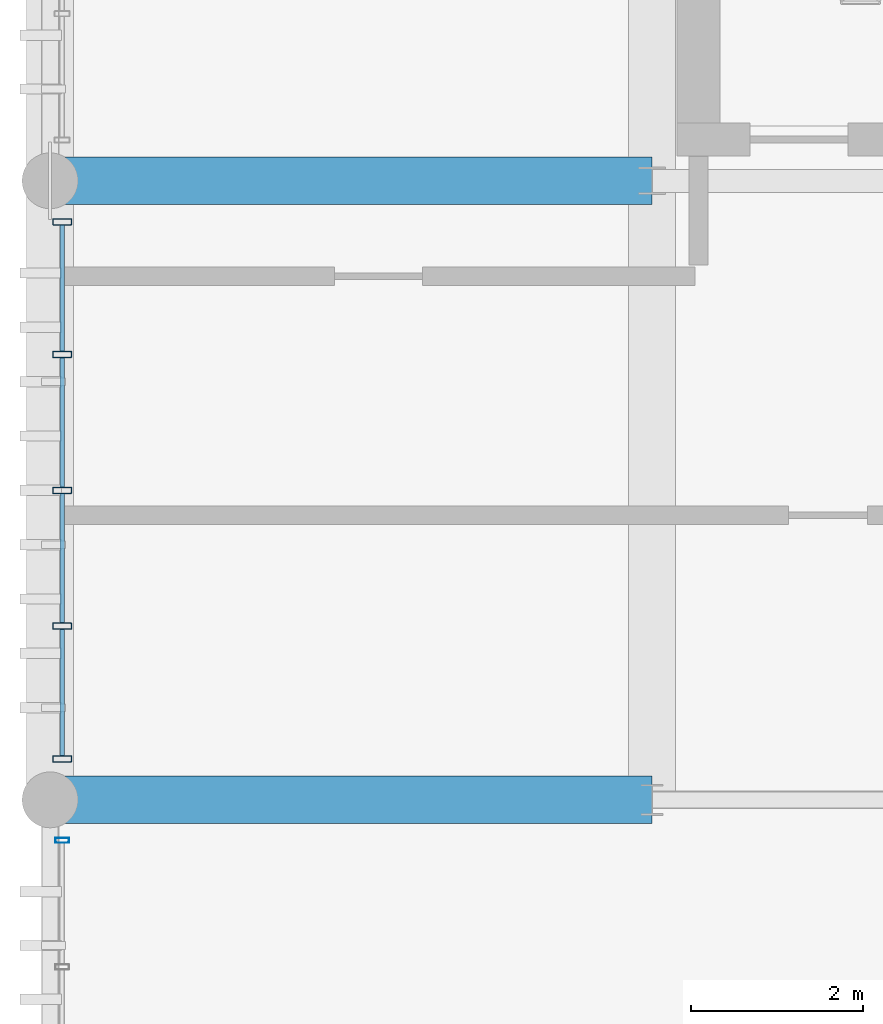
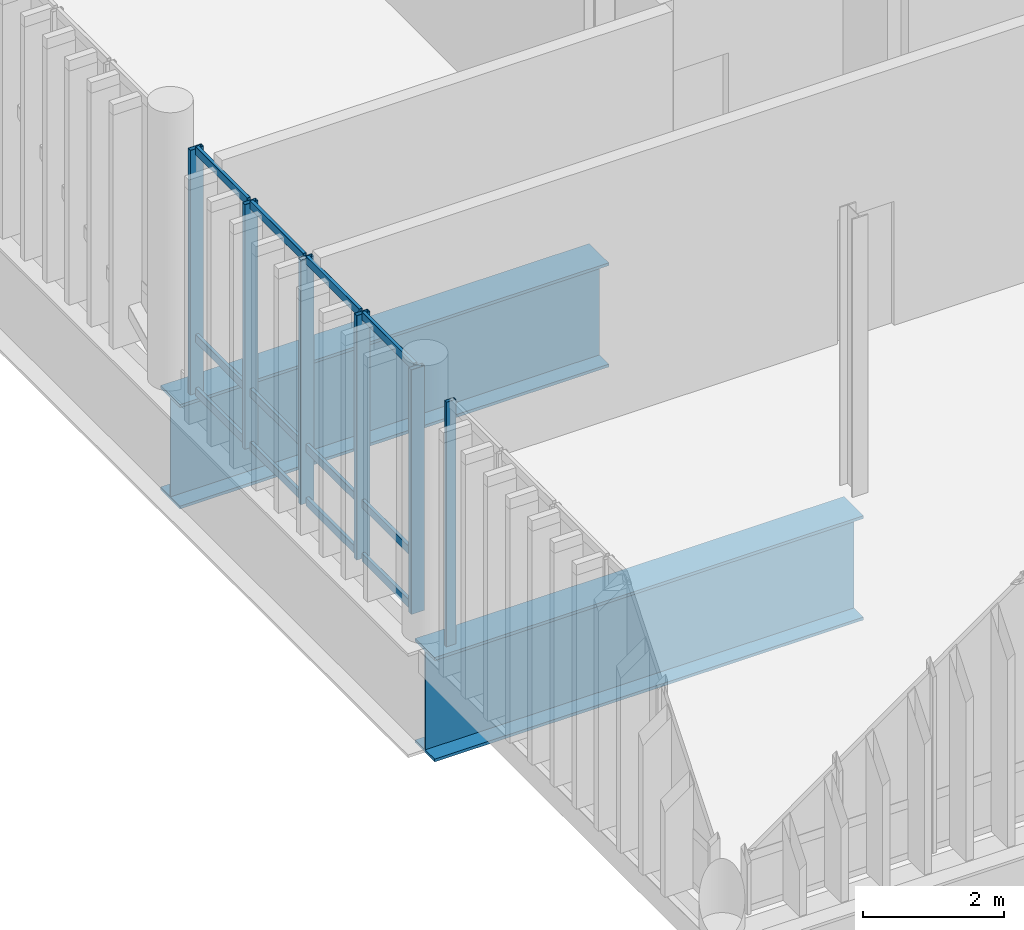
# One storey, part 8 of 81: 18 members, 2 beams, 2 elements without a shape of their own.
"""IFC4 building model written with IfcOpenShell, lengths in metres."""

from ifc_helpers import new_model, si_unit, direction, frame, origin_with_axes, origin_2d_with_axis, place, context, subcontext, project, spatial, hollow_rectangle, i_section, extrude, material, material_profile, profile_set, type_object, element, aggregate, save


model = new_model("IFC4")

# Units and contexts
model_context = context("Model", 3, precision=1e-05, world=origin_with_axes(), true_north=direction((0.0, 1.0)))
body_context = subcontext(model_context, "Body", "Model", "MODEL_VIEW")
ifc_project = project(units=[si_unit("LENGTHUNIT", "METRE"), si_unit("AREAUNIT", "SQUARE_METRE"), si_unit("VOLUMEUNIT", "CUBIC_METRE"), si_unit("PLANEANGLEUNIT", "RADIAN"), si_unit("MASSUNIT", "GRAM", prefix="KILO"), si_unit("THERMODYNAMICTEMPERATUREUNIT", "KELVIN")], contexts=[model_context])

# Site, building, storey
site_placement = place(None, origin_with_axes())
site = spatial("IfcSite", under=ifc_project, at=site_placement, CompositionType="ELEMENT")
building_placement = place(site_placement, origin_with_axes())
building = spatial("IfcBuilding", under=site, at=building_placement, Name="Montbau Bow Law Courts", CompositionType="ELEMENT")
storey_placement = place(building_placement, frame((0.0, 0.0, 24.9), z_axis=(0.0, 0.0, 1.0), x_axis=(1.0, 0.0, 0.0)))
storey = spatial("IfcBuildingStorey", under=building, at=storey_placement, Name="L05", CompositionType="ELEMENT", Elevation=24.9)

# Beams
ifc_material_1 = material(Name="Steel CSA G40.21 Grade 350WT (350 MPa)", Category="steel")
ifc_material_profile_1 = material_profile(ifc_material_1, i_section(OverallWidth=0.55, OverallDepth=1.8, WebThickness=0.022, FlangeThickness=0.05, at=origin_2d_with_axis()), Name="WWF1800X550", Category="Main", Priority=0)
ifc_profile_set_1 = profile_set([ifc_material_profile_1], Name="Steel CSA G40.21 Grade 350WT (350 MPa)")
beam_type = type_object("IfcBeamType", Name="B-TRG-01", PredefinedType="USERDEFINED", material=ifc_profile_set_1)
for number, where, z_axis, x_axis, name in (
    (1, (6.8, 39.0, 23.7), (1.0, 0.0, 0.0), (0.0, 1.0, 0.0), "TRG-L05-S0053:bm2_0056"),
    (2, (6.8, 46.2, 23.7), (1.0, 0.0, 0.0), (0.0, 1.0, 0.0), "TRG-L05-S0055:bm2_0058"),
):
    element("IfcBeam", number, at=place(None, frame(where, z_axis=z_axis, x_axis=x_axis)), inside=storey, type_object=beam_type, Name=name, ObjectType="GIRDER", PredefinedType="USERDEFINED", context=body_context, shape_type="SweptSolid", body=[
        extrude(i_section(OverallWidth=0.55, OverallDepth=1.8, WebThickness=0.022, FlangeThickness=0.05, at=origin_2d_with_axis()), origin_with_axes(), (0.0, 0.0, 1.0), 7.0),
    ])

# Curtain wall, members
ifc_material_2 = material(Name="Thermally Broken Extruded Aluminium AA 6063-T6", Category="aluminium")
curtain_wall_type = type_object("IfcCurtainWallType", Name="CW-TRC-02", PredefinedType="NOTDEFINED", material=ifc_material_2)
curtain_wall_1_placement = place(None, frame((6.94, 39.44, 24.9), z_axis=(0.0, 0.0, 1.0), x_axis=(1.0, 0.0, 0.0)))
curtain_wall_1 = element("IfcCurtainWall", 3, at=curtain_wall_1_placement, inside=storey, type_object=curtain_wall_type, Name="CW-L05-087:cw_0087", PredefinedType="NOTDEFINED")
ifc_material_profile_2 = material_profile(ifc_material_2, hollow_rectangle(XDim=0.075, YDim=0.22, WallThickness=0.005, InnerFilletRadius=0.01, OuterFilletRadius=0.005, at=origin_2d_with_axis()), Name="CWM-220X75", Category="Main", Priority=0)
ifc_profile_set_2 = profile_set([ifc_material_profile_2], Name="Thermally Broken Extruded Aluminium AA 6063-T6")
member_type_1 = type_object("IfcMemberType", Name="M-MUL-01", PredefinedType="MULLION", material=ifc_profile_set_2)
member_1_placement = place(None, frame((6.94, 39.477, 24.9), z_axis=(0.0, 0.0, 1.0), x_axis=(0.0, 1.0, 0.0)))
member_1 = element("IfcMember", 4, at=member_1_placement, type_object=member_type_1, Name="CW-L05-087-M01:cw_0087_M01", PredefinedType="MULLION", context=body_context, shape_type="SweptSolid", body=[
    extrude(hollow_rectangle(XDim=0.075, YDim=0.22, WallThickness=0.005, InnerFilletRadius=0.01, OuterFilletRadius=0.005, at=origin_2d_with_axis()), origin_with_axes(), (0.0, 0.0, 1.0), 4.22),
])
member_2_placement = place(None, frame((6.94, 41.02, 24.9), z_axis=(0.0, 0.0, 1.0), x_axis=(0.0, 1.0, 0.0)))
member_2 = element("IfcMember", 5, at=member_2_placement, type_object=member_type_1, Name="CW-L05-087-M02:cw_0087_M02", PredefinedType="MULLION", context=body_context, shape_type="SweptSolid", body=[
    extrude(hollow_rectangle(XDim=0.075, YDim=0.22, WallThickness=0.005, InnerFilletRadius=0.01, OuterFilletRadius=0.005, at=origin_2d_with_axis()), origin_with_axes(), (0.0, 0.0, 1.0), 4.22),
])
member_3_placement = place(None, frame((6.94, 42.6, 24.9), z_axis=(0.0, 0.0, 1.0), x_axis=(0.0, 1.0, 0.0)))
member_3 = element("IfcMember", 6, at=member_3_placement, type_object=member_type_1, Name="CW-L05-087-M03:cw_0087_M03", PredefinedType="MULLION", context=body_context, shape_type="SweptSolid", body=[
    extrude(hollow_rectangle(XDim=0.075, YDim=0.22, WallThickness=0.005, InnerFilletRadius=0.01, OuterFilletRadius=0.005, at=origin_2d_with_axis()), origin_with_axes(), (0.0, 0.0, 1.0), 4.22),
])
member_4_placement = place(None, frame((6.94, 44.18, 24.9), z_axis=(0.0, 0.0, 1.0), x_axis=(0.0, 1.0, 0.0)))
member_4 = element("IfcMember", 7, at=member_4_placement, type_object=member_type_1, Name="CW-L05-087-M04:cw_0087_M04", PredefinedType="MULLION", context=body_context, shape_type="SweptSolid", body=[
    extrude(hollow_rectangle(XDim=0.075, YDim=0.22, WallThickness=0.005, InnerFilletRadius=0.01, OuterFilletRadius=0.005, at=origin_2d_with_axis()), origin_with_axes(), (0.0, 0.0, 1.0), 4.22),
])
member_5_placement = place(None, frame((6.94, 45.723, 24.9), z_axis=(0.0, 0.0, 1.0), x_axis=(0.0, 1.0, 0.0)))
member_5 = element("IfcMember", 8, at=member_5_placement, type_object=member_type_1, Name="CW-L05-087-M05:cw_0087_M05", PredefinedType="MULLION", context=body_context, shape_type="SweptSolid", body=[
    extrude(hollow_rectangle(XDim=0.075, YDim=0.22, WallThickness=0.005, InnerFilletRadius=0.01, OuterFilletRadius=0.005, at=origin_2d_with_axis()), origin_with_axes(), (0.0, 0.0, 1.0), 4.22),
])

# Curtain wall, member
curtain_wall_2_placement = place(None, frame((6.94, 31.04, 24.9), z_axis=(0.0, 0.0, 1.0), x_axis=(1.0, 0.0, 0.0)))
curtain_wall_2 = element("IfcCurtainWall", 9, at=curtain_wall_2_placement, inside=storey, type_object=curtain_wall_type, Name="CW-L05-086:cw_0086", PredefinedType="NOTDEFINED")
ifc_material_profile_3 = material_profile(ifc_material_2, hollow_rectangle(XDim=0.06, YDim=0.16, WallThickness=0.004, InnerFilletRadius=0.008, OuterFilletRadius=0.004, at=origin_2d_with_axis()), Name="CWM-160X60", Category="Main", Priority=0)
ifc_profile_set_3 = profile_set([ifc_material_profile_3], Name="Thermally Broken Extruded Aluminium AA 6063-T6")
member_type_2 = type_object("IfcMemberType", Name="M-MUL-03", PredefinedType="MULLION", material=ifc_profile_set_3)
member_6_placement = place(None, frame((6.94, 38.53, 24.9), z_axis=(0.0, 0.0, 1.0), x_axis=(0.0, 1.0, 0.0)))
member_6 = element("IfcMember", 10, at=member_6_placement, type_object=member_type_2, Name="CW-L05-086-M06:cw_0086_M06", PredefinedType="MULLION", context=body_context, shape_type="SweptSolid", body=[
    extrude(hollow_rectangle(XDim=0.06, YDim=0.16, WallThickness=0.004, InnerFilletRadius=0.008, OuterFilletRadius=0.004, at=origin_2d_with_axis()), origin_with_axes(), (0.0, 0.0, 1.0), 4.22),
])
aggregate(curtain_wall_2, [member_6])

# Member
ifc_material_profile_4 = material_profile(ifc_material_2, hollow_rectangle(XDim=0.055, YDim=0.14, WallThickness=0.004, InnerFilletRadius=0.008, OuterFilletRadius=0.004, at=origin_2d_with_axis()), Name="CWT-140X55", Category="Main", Priority=0)
ifc_profile_set_4 = profile_set([ifc_material_profile_4], Name="Thermally Broken Extruded Aluminium AA 6063-T6")
member_type_3 = type_object("IfcMemberType", Name="M-TRN-02", PredefinedType="USERDEFINED", material=ifc_profile_set_4)
member_7_placement = place(None, frame((6.94, 39.516, 24.927), z_axis=(0.0, 1.0, 0.0), x_axis=(-1.0, 0.0, 0.0)))
member_7 = element("IfcMember", 11, at=member_7_placement, type_object=member_type_3, Name="CW-L05-087-T01-1:cw_0087_T01_1", ObjectType="TRANSOM", PredefinedType="USERDEFINED", context=body_context, shape_type="SweptSolid", body=[
    extrude(hollow_rectangle(XDim=0.055, YDim=0.14, WallThickness=0.004, InnerFilletRadius=0.008, OuterFilletRadius=0.004, at=origin_2d_with_axis()), origin_with_axes(), (0.0, 0.0, 1.0), 1.464),
])

member_8_placement = place(None, frame((6.94, 39.516, 25.85), z_axis=(0.0, 1.0, 0.0), x_axis=(-1.0, 0.0, 0.0)))
member_8 = element("IfcMember", 12, at=member_8_placement, type_object=member_type_3, Name="CW-L05-087-T01-2:cw_0087_T01_2", ObjectType="TRANSOM", PredefinedType="USERDEFINED", context=body_context, shape_type="SweptSolid", body=[
    extrude(hollow_rectangle(XDim=0.055, YDim=0.14, WallThickness=0.004, InnerFilletRadius=0.008, OuterFilletRadius=0.004, at=origin_2d_with_axis()), origin_with_axes(), (0.0, 0.0, 1.0), 1.464),
])

member_9_placement = place(None, frame((6.94, 39.516, 29.093), z_axis=(0.0, 1.0, 0.0), x_axis=(-1.0, 0.0, 0.0)))
member_9 = element("IfcMember", 13, at=member_9_placement, type_object=member_type_3, Name="CW-L05-087-T01-3:cw_0087_T01_3", ObjectType="TRANSOM", PredefinedType="USERDEFINED", context=body_context, shape_type="SweptSolid", body=[
    extrude(hollow_rectangle(XDim=0.055, YDim=0.14, WallThickness=0.004, InnerFilletRadius=0.008, OuterFilletRadius=0.004, at=origin_2d_with_axis()), origin_with_axes(), (0.0, 0.0, 1.0), 1.464),
])

member_10_placement = place(None, frame((6.94, 41.06, 24.927), z_axis=(0.0, 1.0, 0.0), x_axis=(-1.0, 0.0, 0.0)))
member_10 = element("IfcMember", 14, at=member_10_placement, type_object=member_type_3, Name="CW-L05-087-T02-1:cw_0087_T02_1", ObjectType="TRANSOM", PredefinedType="USERDEFINED", context=body_context, shape_type="SweptSolid", body=[
    extrude(hollow_rectangle(XDim=0.055, YDim=0.14, WallThickness=0.004, InnerFilletRadius=0.008, OuterFilletRadius=0.004, at=origin_2d_with_axis()), origin_with_axes(), (0.0, 0.0, 1.0), 1.501),
])

member_11_placement = place(None, frame((6.94, 41.06, 25.85), z_axis=(0.0, 1.0, 0.0), x_axis=(-1.0, 0.0, 0.0)))
member_11 = element("IfcMember", 15, at=member_11_placement, type_object=member_type_3, Name="CW-L05-087-T02-2:cw_0087_T02_2", ObjectType="TRANSOM", PredefinedType="USERDEFINED", context=body_context, shape_type="SweptSolid", body=[
    extrude(hollow_rectangle(XDim=0.055, YDim=0.14, WallThickness=0.004, InnerFilletRadius=0.008, OuterFilletRadius=0.004, at=origin_2d_with_axis()), origin_with_axes(), (0.0, 0.0, 1.0), 1.501),
])

member_12_placement = place(None, frame((6.94, 41.06, 29.093), z_axis=(0.0, 1.0, 0.0), x_axis=(-1.0, 0.0, 0.0)))
member_12 = element("IfcMember", 16, at=member_12_placement, type_object=member_type_3, Name="CW-L05-087-T02-3:cw_0087_T02_3", ObjectType="TRANSOM", PredefinedType="USERDEFINED", context=body_context, shape_type="SweptSolid", body=[
    extrude(hollow_rectangle(XDim=0.055, YDim=0.14, WallThickness=0.004, InnerFilletRadius=0.008, OuterFilletRadius=0.004, at=origin_2d_with_axis()), origin_with_axes(), (0.0, 0.0, 1.0), 1.501),
])

member_13_placement = place(None, frame((6.94, 42.64, 24.927), z_axis=(0.0, 1.0, 0.0), x_axis=(-1.0, 0.0, 0.0)))
member_13 = element("IfcMember", 17, at=member_13_placement, type_object=member_type_3, Name="CW-L05-087-T03-1:cw_0087_T03_1", ObjectType="TRANSOM", PredefinedType="USERDEFINED", context=body_context, shape_type="SweptSolid", body=[
    extrude(hollow_rectangle(XDim=0.055, YDim=0.14, WallThickness=0.004, InnerFilletRadius=0.008, OuterFilletRadius=0.004, at=origin_2d_with_axis()), origin_with_axes(), (0.0, 0.0, 1.0), 1.501),
])

member_14_placement = place(None, frame((6.94, 42.64, 25.85), z_axis=(0.0, 1.0, 0.0), x_axis=(-1.0, 0.0, 0.0)))
member_14 = element("IfcMember", 18, at=member_14_placement, type_object=member_type_3, Name="CW-L05-087-T03-2:cw_0087_T03_2", ObjectType="TRANSOM", PredefinedType="USERDEFINED", context=body_context, shape_type="SweptSolid", body=[
    extrude(hollow_rectangle(XDim=0.055, YDim=0.14, WallThickness=0.004, InnerFilletRadius=0.008, OuterFilletRadius=0.004, at=origin_2d_with_axis()), origin_with_axes(), (0.0, 0.0, 1.0), 1.501),
])

member_15_placement = place(None, frame((6.94, 42.64, 29.093), z_axis=(0.0, 1.0, 0.0), x_axis=(-1.0, 0.0, 0.0)))
member_15 = element("IfcMember", 19, at=member_15_placement, type_object=member_type_3, Name="CW-L05-087-T03-3:cw_0087_T03_3", ObjectType="TRANSOM", PredefinedType="USERDEFINED", context=body_context, shape_type="SweptSolid", body=[
    extrude(hollow_rectangle(XDim=0.055, YDim=0.14, WallThickness=0.004, InnerFilletRadius=0.008, OuterFilletRadius=0.004, at=origin_2d_with_axis()), origin_with_axes(), (0.0, 0.0, 1.0), 1.501),
])

member_16_placement = place(None, frame((6.94, 44.219, 24.927), z_axis=(0.0, 1.0, 0.0), x_axis=(-1.0, 0.0, 0.0)))
member_16 = element("IfcMember", 20, at=member_16_placement, type_object=member_type_3, Name="CW-L05-087-T04-1:cw_0087_T04_1", ObjectType="TRANSOM", PredefinedType="USERDEFINED", context=body_context, shape_type="SweptSolid", body=[
    extrude(hollow_rectangle(XDim=0.055, YDim=0.14, WallThickness=0.004, InnerFilletRadius=0.008, OuterFilletRadius=0.004, at=origin_2d_with_axis()), origin_with_axes(), (0.0, 0.0, 1.0), 1.465),
])

member_17_placement = place(None, frame((6.94, 44.219, 25.85), z_axis=(0.0, 1.0, 0.0), x_axis=(-1.0, 0.0, 0.0)))
member_17 = element("IfcMember", 21, at=member_17_placement, type_object=member_type_3, Name="CW-L05-087-T04-2:cw_0087_T04_2", ObjectType="TRANSOM", PredefinedType="USERDEFINED", context=body_context, shape_type="SweptSolid", body=[
    extrude(hollow_rectangle(XDim=0.055, YDim=0.14, WallThickness=0.004, InnerFilletRadius=0.008, OuterFilletRadius=0.004, at=origin_2d_with_axis()), origin_with_axes(), (0.0, 0.0, 1.0), 1.465),
])

member_18_placement = place(None, frame((6.94, 44.219, 29.093), z_axis=(0.0, 1.0, 0.0), x_axis=(-1.0, 0.0, 0.0)))
member_18 = element("IfcMember", 22, at=member_18_placement, type_object=member_type_3, Name="CW-L05-087-T04-3:cw_0087_T04_3", ObjectType="TRANSOM", PredefinedType="USERDEFINED", context=body_context, shape_type="SweptSolid", body=[
    extrude(hollow_rectangle(XDim=0.055, YDim=0.14, WallThickness=0.004, InnerFilletRadius=0.008, OuterFilletRadius=0.004, at=origin_2d_with_axis()), origin_with_axes(), (0.0, 0.0, 1.0), 1.465),
])

aggregate(curtain_wall_1, [member_1, member_2, member_3, member_4, member_5, member_7, member_8, member_9, member_10, member_11, member_12, member_13, member_14, member_15, member_16, member_17, member_18])

save(model, "model.ifc")
